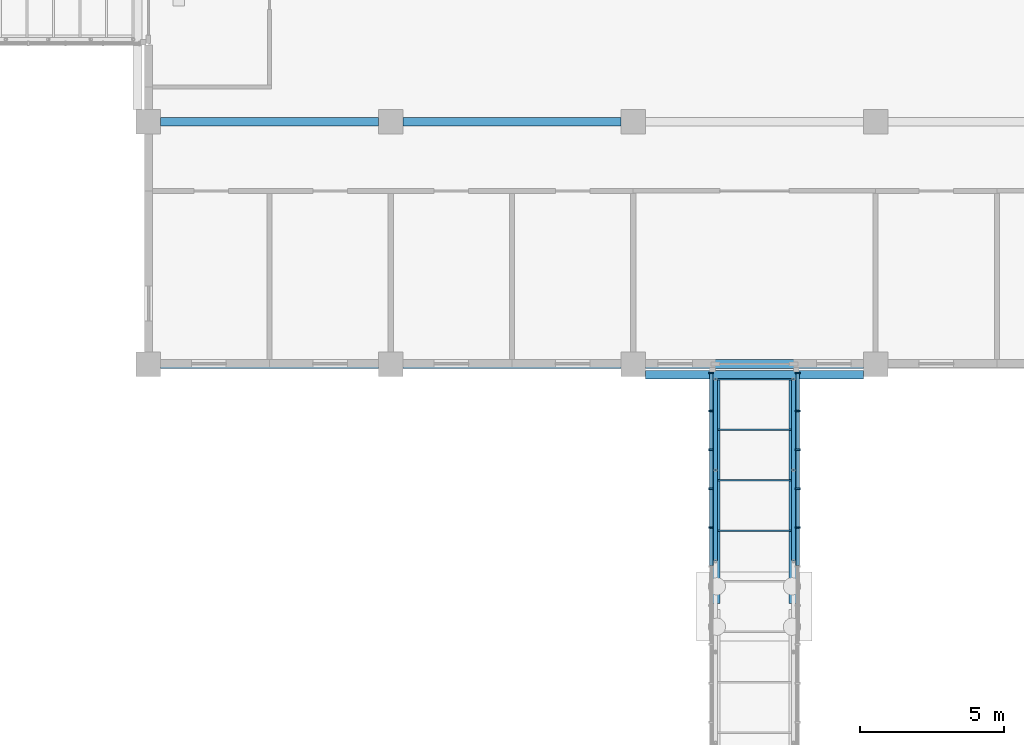
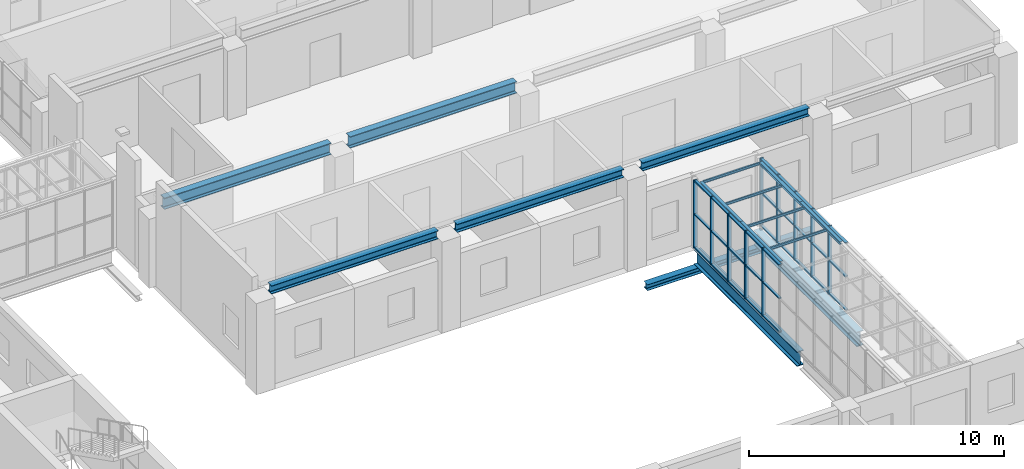
# One storey, part 21 of 94: 40 members, 16 beams, 2 elements without a shape of their own.
"""IFC4 building model written with IfcOpenShell, lengths in metres."""

from ifc_helpers import new_model, si_unit, direction, frame, origin, origin_2d, place, context, subcontext, project, spatial, rectangle, i_section, extrude, material, material_profile, profile_set, type_object, element, aggregate, save


model = new_model("IFC4")

# Units and contexts
model_context = context("Model", 3, precision=1e-05, world=origin(), true_north=direction((0.0, 1.0)))
body_context = subcontext(model_context, "Body", "Model", "MODEL_VIEW")
ifc_project = project(units=[si_unit("LENGTHUNIT", "METRE"), si_unit("AREAUNIT", "SQUARE_METRE"), si_unit("VOLUMEUNIT", "CUBIC_METRE"), si_unit("PLANEANGLEUNIT", "RADIAN"), si_unit("MASSUNIT", "GRAM", prefix="KILO")], contexts=[model_context])

# Site, building, storey
site_placement = place(None, origin())
site = spatial("IfcSite", under=ifc_project, at=site_placement, CompositionType="ELEMENT")
building_placement = place(site_placement, origin())
building = spatial("IfcBuilding", under=site, at=building_placement, Name="Yavir Park General Hospital", CompositionType="ELEMENT")
storey_placement = place(building_placement, frame((0.0, 0.0, 4.5)))
storey = spatial("IfcBuildingStorey", under=building, at=storey_placement, Name="L01", CompositionType="ELEMENT", Elevation=4.5)

# Curtain wall, members
ifc_material_1 = material(Name="Aluminium curtain wall frame with insulated glazing", Category="aluminium")
curtain_wall_type = type_object("IfcCurtainWallType", Name="Bridge enclosure glazing, 3250 high, 1400 module", PredefinedType="NOTDEFINED", material=ifc_material_1)
curtain_wall_1_placement = place(storey_placement, origin())
curtain_wall_1 = element("IfcCurtainWall", 1, at=curtain_wall_1_placement, inside=storey, type_object=curtain_wall_type, Name="CW41 L01-024", PredefinedType="NOTDEFINED")
ifc_material_2 = material(Name="Aluminium", Category="aluminium")
ifc_material_profile_1 = material_profile(ifc_material_2, rectangle(XDim=0.159912109375, YDim=0.06005859375, at=origin_2d()), Name="AL 60x160")
ifc_profile_set_1 = profile_set([ifc_material_profile_1], Name="Aluminium")
member_type_1 = type_object("IfcMemberType", Name="Bridge enclosure glazing, 3250 high mullion 60 x 160", PredefinedType="MULLION", material=ifc_profile_set_1)
member_1_placement = place(storey_placement, frame((53.10009765625, 44.7333984375, 0.0), z_axis=(0.0, 0.0, 1.0), x_axis=(-1.0, 0.0, 0.0)))
member_1 = element("IfcMember", 2, at=member_1_placement, type_object=member_type_1, Name="CW41 mullion 9", PredefinedType="MULLION", context=body_context, shape_type="SweptSolid", body=[
    extrude(rectangle(XDim=0.159912109375, YDim=0.06005859375, at=origin_2d()), origin(), (0.0, 0.0, 1.0), 3.25),
])
member_2_placement = place(storey_placement, frame((53.10009765625, 46.081298828125, 0.0), z_axis=(0.0, 0.0, 1.0), x_axis=(-1.0, 0.0, 0.0)))
member_2 = element("IfcMember", 3, at=member_2_placement, type_object=member_type_1, Name="CW41 mullion 10", PredefinedType="MULLION", context=body_context, shape_type="SweptSolid", body=[
    extrude(rectangle(XDim=0.159912109375, YDim=0.06005859375, at=origin_2d()), origin(), (0.0, 0.0, 1.0), 3.25),
])
member_3_placement = place(storey_placement, frame((53.10009765625, 47.42919921875, 0.0), z_axis=(0.0, 0.0, 1.0), x_axis=(-1.0, 0.0, 0.0)))
member_3 = element("IfcMember", 4, at=member_3_placement, type_object=member_type_1, Name="CW41 mullion 11", PredefinedType="MULLION", context=body_context, shape_type="SweptSolid", body=[
    extrude(rectangle(XDim=0.159912109375, YDim=0.06005859375, at=origin_2d()), origin(), (0.0, 0.0, 1.0), 3.25),
])
member_4_placement = place(storey_placement, frame((53.10009765625, 48.777099609375, 0.0), z_axis=(0.0, 0.0, 1.0), x_axis=(-1.0, 0.0, 0.0)))
member_4 = element("IfcMember", 5, at=member_4_placement, type_object=member_type_1, Name="CW41 mullion 12", PredefinedType="MULLION", context=body_context, shape_type="SweptSolid", body=[
    extrude(rectangle(XDim=0.159912109375, YDim=0.06005859375, at=origin_2d()), origin(), (0.0, 0.0, 1.0), 3.25),
])
member_5_placement = place(storey_placement, frame((53.10009765625, 50.094970703125, 0.0), z_axis=(0.0, 0.0, 1.0), x_axis=(-1.0, 0.0, 0.0)))
member_5 = element("IfcMember", 6, at=member_5_placement, type_object=member_type_1, Name="CW41 mullion 13", PredefinedType="MULLION", context=body_context, shape_type="SweptSolid", body=[
    extrude(rectangle(XDim=0.159912109375, YDim=0.06005859375, at=origin_2d()), origin(), (0.0, 0.0, 1.0), 3.25),
])

curtain_wall_2_placement = place(storey_placement, origin())
curtain_wall_2 = element("IfcCurtainWall", 7, at=curtain_wall_2_placement, inside=storey, type_object=curtain_wall_type, Name="CW41 L01-025", PredefinedType="NOTDEFINED")
member_6_placement = place(storey_placement, frame((56.10009765625, 44.7333984375, 0.0), z_axis=(0.0, 0.0, 1.0), x_axis=(-1.0, 0.0, 0.0)))
member_6 = element("IfcMember", 8, at=member_6_placement, type_object=member_type_1, Name="CW41 mullion 9", PredefinedType="MULLION", context=body_context, shape_type="SweptSolid", body=[
    extrude(rectangle(XDim=0.159912109375, YDim=0.06005859375, at=origin_2d()), origin(), (0.0, 0.0, 1.0), 3.25),
])
member_7_placement = place(storey_placement, frame((56.10009765625, 46.081298828125, 0.0), z_axis=(0.0, 0.0, 1.0), x_axis=(-1.0, 0.0, 0.0)))
member_7 = element("IfcMember", 9, at=member_7_placement, type_object=member_type_1, Name="CW41 mullion 10", PredefinedType="MULLION", context=body_context, shape_type="SweptSolid", body=[
    extrude(rectangle(XDim=0.159912109375, YDim=0.06005859375, at=origin_2d()), origin(), (0.0, 0.0, 1.0), 3.25),
])
member_8_placement = place(storey_placement, frame((56.10009765625, 47.42919921875, 0.0), z_axis=(0.0, 0.0, 1.0), x_axis=(-1.0, 0.0, 0.0)))
member_8 = element("IfcMember", 10, at=member_8_placement, type_object=member_type_1, Name="CW41 mullion 11", PredefinedType="MULLION", context=body_context, shape_type="SweptSolid", body=[
    extrude(rectangle(XDim=0.159912109375, YDim=0.06005859375, at=origin_2d()), origin(), (0.0, 0.0, 1.0), 3.25),
])
member_9_placement = place(storey_placement, frame((56.10009765625, 48.777099609375, 0.0), z_axis=(0.0, 0.0, 1.0), x_axis=(-1.0, 0.0, 0.0)))
member_9 = element("IfcMember", 11, at=member_9_placement, type_object=member_type_1, Name="CW41 mullion 12", PredefinedType="MULLION", context=body_context, shape_type="SweptSolid", body=[
    extrude(rectangle(XDim=0.159912109375, YDim=0.06005859375, at=origin_2d()), origin(), (0.0, 0.0, 1.0), 3.25),
])
member_10_placement = place(storey_placement, frame((56.10009765625, 50.094970703125, 0.0), z_axis=(0.0, 0.0, 1.0), x_axis=(-1.0, 0.0, 0.0)))
member_10 = element("IfcMember", 12, at=member_10_placement, type_object=member_type_1, Name="CW41 mullion 13", PredefinedType="MULLION", context=body_context, shape_type="SweptSolid", body=[
    extrude(rectangle(XDim=0.159912109375, YDim=0.06005859375, at=origin_2d()), origin(), (0.0, 0.0, 1.0), 3.25),
])

# Member
ifc_material_3 = material(Name="Aluminium", Category="aluminium")
ifc_material_profile_2 = material_profile(ifc_material_3, rectangle(XDim=0.1201171875, YDim=0.06005859375, at=origin_2d()), Name="AL 120x60")
ifc_profile_set_2 = profile_set([ifc_material_profile_2], Name="Aluminium")
member_type_2 = type_object("IfcMemberType", Name="Bridge enclosure glazing, 3250 high transom 60 x 120", PredefinedType="MULLION", material=ifc_profile_set_2)
member_11_placement = place(storey_placement, frame((53.10009765625, 43.41552734375, 0.030029296875), z_axis=(0.0, 1.0, 0.0), x_axis=(-1.0, 0.0, 0.0)))
member_11 = element("IfcMember", 13, at=member_11_placement, type_object=member_type_2, Name="CW41 transom 8.1", PredefinedType="MULLION", context=body_context, shape_type="SweptSolid", body=[
    extrude(rectangle(XDim=0.1201171875, YDim=0.06005859375, at=origin_2d()), origin(), (0.0, 0.0, 1.0), 1.287841796875),
])

member_12_placement = place(storey_placement, frame((53.10009765625, 43.41552734375, 1.625), z_axis=(0.0, 1.0, 0.0), x_axis=(-1.0, 0.0, 0.0)))
member_12 = element("IfcMember", 14, at=member_12_placement, type_object=member_type_2, Name="CW41 transom 8.2", PredefinedType="MULLION", context=body_context, shape_type="SweptSolid", body=[
    extrude(rectangle(XDim=0.1201171875, YDim=0.06005859375, at=origin_2d()), origin(), (0.0, 0.0, 1.0), 1.287841796875),
])

member_13_placement = place(storey_placement, frame((53.10009765625, 43.41552734375, 3.219970703125), z_axis=(0.0, 1.0, 0.0), x_axis=(-1.0, 0.0, 0.0)))
member_13 = element("IfcMember", 15, at=member_13_placement, type_object=member_type_2, Name="CW41 transom 8.3", PredefinedType="MULLION", context=body_context, shape_type="SweptSolid", body=[
    extrude(rectangle(XDim=0.1201171875, YDim=0.06005859375, at=origin_2d()), origin(), (0.0, 0.0, 1.0), 1.287841796875),
])

member_14_placement = place(storey_placement, frame((53.10009765625, 44.763427734375, 0.030029296875), z_axis=(0.0, 1.0, 0.0), x_axis=(-1.0, 0.0, 0.0)))
member_14 = element("IfcMember", 16, at=member_14_placement, type_object=member_type_2, Name="CW41 transom 9.1", PredefinedType="MULLION", context=body_context, shape_type="SweptSolid", body=[
    extrude(rectangle(XDim=0.1201171875, YDim=0.06005859375, at=origin_2d()), origin(), (0.0, 0.0, 1.0), 1.287841796875),
])

member_15_placement = place(storey_placement, frame((53.10009765625, 44.763427734375, 1.625), z_axis=(0.0, 1.0, 0.0), x_axis=(-1.0, 0.0, 0.0)))
member_15 = element("IfcMember", 17, at=member_15_placement, type_object=member_type_2, Name="CW41 transom 9.2", PredefinedType="MULLION", context=body_context, shape_type="SweptSolid", body=[
    extrude(rectangle(XDim=0.1201171875, YDim=0.06005859375, at=origin_2d()), origin(), (0.0, 0.0, 1.0), 1.287841796875),
])

member_16_placement = place(storey_placement, frame((53.10009765625, 44.763427734375, 3.219970703125), z_axis=(0.0, 1.0, 0.0), x_axis=(-1.0, 0.0, 0.0)))
member_16 = element("IfcMember", 18, at=member_16_placement, type_object=member_type_2, Name="CW41 transom 9.3", PredefinedType="MULLION", context=body_context, shape_type="SweptSolid", body=[
    extrude(rectangle(XDim=0.1201171875, YDim=0.06005859375, at=origin_2d()), origin(), (0.0, 0.0, 1.0), 1.287841796875),
])

member_17_placement = place(storey_placement, frame((53.10009765625, 46.111328125, 0.030029296875), z_axis=(0.0, 1.0, 0.0), x_axis=(-1.0, 0.0, 0.0)))
member_17 = element("IfcMember", 19, at=member_17_placement, type_object=member_type_2, Name="CW41 transom 10.1", PredefinedType="MULLION", context=body_context, shape_type="SweptSolid", body=[
    extrude(rectangle(XDim=0.1201171875, YDim=0.06005859375, at=origin_2d()), origin(), (0.0, 0.0, 1.0), 1.287841796875),
])

member_18_placement = place(storey_placement, frame((53.10009765625, 46.111328125, 1.625), z_axis=(0.0, 1.0, 0.0), x_axis=(-1.0, 0.0, 0.0)))
member_18 = element("IfcMember", 20, at=member_18_placement, type_object=member_type_2, Name="CW41 transom 10.2", PredefinedType="MULLION", context=body_context, shape_type="SweptSolid", body=[
    extrude(rectangle(XDim=0.1201171875, YDim=0.06005859375, at=origin_2d()), origin(), (0.0, 0.0, 1.0), 1.287841796875),
])

member_19_placement = place(storey_placement, frame((53.10009765625, 46.111328125, 3.219970703125), z_axis=(0.0, 1.0, 0.0), x_axis=(-1.0, 0.0, 0.0)))
member_19 = element("IfcMember", 21, at=member_19_placement, type_object=member_type_2, Name="CW41 transom 10.3", PredefinedType="MULLION", context=body_context, shape_type="SweptSolid", body=[
    extrude(rectangle(XDim=0.1201171875, YDim=0.06005859375, at=origin_2d()), origin(), (0.0, 0.0, 1.0), 1.287841796875),
])

member_20_placement = place(storey_placement, frame((53.10009765625, 47.459228515625, 0.030029296875), z_axis=(0.0, 1.0, 0.0), x_axis=(-1.0, 0.0, 0.0)))
member_20 = element("IfcMember", 22, at=member_20_placement, type_object=member_type_2, Name="CW41 transom 11.1", PredefinedType="MULLION", context=body_context, shape_type="SweptSolid", body=[
    extrude(rectangle(XDim=0.1201171875, YDim=0.06005859375, at=origin_2d()), origin(), (0.0, 0.0, 1.0), 1.287841796875),
])

member_21_placement = place(storey_placement, frame((53.10009765625, 47.459228515625, 1.625), z_axis=(0.0, 1.0, 0.0), x_axis=(-1.0, 0.0, 0.0)))
member_21 = element("IfcMember", 23, at=member_21_placement, type_object=member_type_2, Name="CW41 transom 11.2", PredefinedType="MULLION", context=body_context, shape_type="SweptSolid", body=[
    extrude(rectangle(XDim=0.1201171875, YDim=0.06005859375, at=origin_2d()), origin(), (0.0, 0.0, 1.0), 1.287841796875),
])

member_22_placement = place(storey_placement, frame((53.10009765625, 47.459228515625, 3.219970703125), z_axis=(0.0, 1.0, 0.0), x_axis=(-1.0, 0.0, 0.0)))
member_22 = element("IfcMember", 24, at=member_22_placement, type_object=member_type_2, Name="CW41 transom 11.3", PredefinedType="MULLION", context=body_context, shape_type="SweptSolid", body=[
    extrude(rectangle(XDim=0.1201171875, YDim=0.06005859375, at=origin_2d()), origin(), (0.0, 0.0, 1.0), 1.287841796875),
])

member_23_placement = place(storey_placement, frame((53.10009765625, 48.80712890625, 0.030029296875), z_axis=(0.0, 1.0, 0.0), x_axis=(-1.0, 0.0, 0.0)))
member_23 = element("IfcMember", 25, at=member_23_placement, type_object=member_type_2, Name="CW41 transom 12.1", PredefinedType="MULLION", context=body_context, shape_type="SweptSolid", body=[
    extrude(rectangle(XDim=0.1201171875, YDim=0.06005859375, at=origin_2d()), origin(), (0.0, 0.0, 1.0), 1.2578125),
])

member_24_placement = place(storey_placement, frame((53.10009765625, 48.80712890625, 1.625), z_axis=(0.0, 1.0, 0.0), x_axis=(-1.0, 0.0, 0.0)))
member_24 = element("IfcMember", 26, at=member_24_placement, type_object=member_type_2, Name="CW41 transom 12.2", PredefinedType="MULLION", context=body_context, shape_type="SweptSolid", body=[
    extrude(rectangle(XDim=0.1201171875, YDim=0.06005859375, at=origin_2d()), origin(), (0.0, 0.0, 1.0), 1.2578125),
])

member_25_placement = place(storey_placement, frame((53.10009765625, 48.80712890625, 3.219970703125), z_axis=(0.0, 1.0, 0.0), x_axis=(-1.0, 0.0, 0.0)))
member_25 = element("IfcMember", 27, at=member_25_placement, type_object=member_type_2, Name="CW41 transom 12.3", PredefinedType="MULLION", context=body_context, shape_type="SweptSolid", body=[
    extrude(rectangle(XDim=0.1201171875, YDim=0.06005859375, at=origin_2d()), origin(), (0.0, 0.0, 1.0), 1.2578125),
])

aggregate(curtain_wall_1, [member_1, member_2, member_3, member_4, member_5, member_11, member_12, member_13, member_14, member_15, member_16, member_17, member_18, member_19, member_20, member_21, member_22, member_23, member_24, member_25])

member_26_placement = place(storey_placement, frame((56.10009765625, 43.41552734375, 0.030029296875), z_axis=(0.0, 1.0, 0.0), x_axis=(-1.0, 0.0, 0.0)))
member_26 = element("IfcMember", 28, at=member_26_placement, type_object=member_type_2, Name="CW41 transom 8.1", PredefinedType="MULLION", context=body_context, shape_type="SweptSolid", body=[
    extrude(rectangle(XDim=0.1201171875, YDim=0.06005859375, at=origin_2d()), origin(), (0.0, 0.0, 1.0), 1.287841796875),
])

member_27_placement = place(storey_placement, frame((56.10009765625, 43.41552734375, 1.625), z_axis=(0.0, 1.0, 0.0), x_axis=(-1.0, 0.0, 0.0)))
member_27 = element("IfcMember", 29, at=member_27_placement, type_object=member_type_2, Name="CW41 transom 8.2", PredefinedType="MULLION", context=body_context, shape_type="SweptSolid", body=[
    extrude(rectangle(XDim=0.1201171875, YDim=0.06005859375, at=origin_2d()), origin(), (0.0, 0.0, 1.0), 1.287841796875),
])

member_28_placement = place(storey_placement, frame((56.10009765625, 43.41552734375, 3.219970703125), z_axis=(0.0, 1.0, 0.0), x_axis=(-1.0, 0.0, 0.0)))
member_28 = element("IfcMember", 30, at=member_28_placement, type_object=member_type_2, Name="CW41 transom 8.3", PredefinedType="MULLION", context=body_context, shape_type="SweptSolid", body=[
    extrude(rectangle(XDim=0.1201171875, YDim=0.06005859375, at=origin_2d()), origin(), (0.0, 0.0, 1.0), 1.287841796875),
])

member_29_placement = place(storey_placement, frame((56.10009765625, 44.763427734375, 0.030029296875), z_axis=(0.0, 1.0, 0.0), x_axis=(-1.0, 0.0, 0.0)))
member_29 = element("IfcMember", 31, at=member_29_placement, type_object=member_type_2, Name="CW41 transom 9.1", PredefinedType="MULLION", context=body_context, shape_type="SweptSolid", body=[
    extrude(rectangle(XDim=0.1201171875, YDim=0.06005859375, at=origin_2d()), origin(), (0.0, 0.0, 1.0), 1.287841796875),
])

member_30_placement = place(storey_placement, frame((56.10009765625, 44.763427734375, 1.625), z_axis=(0.0, 1.0, 0.0), x_axis=(-1.0, 0.0, 0.0)))
member_30 = element("IfcMember", 32, at=member_30_placement, type_object=member_type_2, Name="CW41 transom 9.2", PredefinedType="MULLION", context=body_context, shape_type="SweptSolid", body=[
    extrude(rectangle(XDim=0.1201171875, YDim=0.06005859375, at=origin_2d()), origin(), (0.0, 0.0, 1.0), 1.287841796875),
])

member_31_placement = place(storey_placement, frame((56.10009765625, 44.763427734375, 3.219970703125), z_axis=(0.0, 1.0, 0.0), x_axis=(-1.0, 0.0, 0.0)))
member_31 = element("IfcMember", 33, at=member_31_placement, type_object=member_type_2, Name="CW41 transom 9.3", PredefinedType="MULLION", context=body_context, shape_type="SweptSolid", body=[
    extrude(rectangle(XDim=0.1201171875, YDim=0.06005859375, at=origin_2d()), origin(), (0.0, 0.0, 1.0), 1.287841796875),
])

member_32_placement = place(storey_placement, frame((56.10009765625, 46.111328125, 0.030029296875), z_axis=(0.0, 1.0, 0.0), x_axis=(-1.0, 0.0, 0.0)))
member_32 = element("IfcMember", 34, at=member_32_placement, type_object=member_type_2, Name="CW41 transom 10.1", PredefinedType="MULLION", context=body_context, shape_type="SweptSolid", body=[
    extrude(rectangle(XDim=0.1201171875, YDim=0.06005859375, at=origin_2d()), origin(), (0.0, 0.0, 1.0), 1.287841796875),
])

member_33_placement = place(storey_placement, frame((56.10009765625, 46.111328125, 1.625), z_axis=(0.0, 1.0, 0.0), x_axis=(-1.0, 0.0, 0.0)))
member_33 = element("IfcMember", 35, at=member_33_placement, type_object=member_type_2, Name="CW41 transom 10.2", PredefinedType="MULLION", context=body_context, shape_type="SweptSolid", body=[
    extrude(rectangle(XDim=0.1201171875, YDim=0.06005859375, at=origin_2d()), origin(), (0.0, 0.0, 1.0), 1.287841796875),
])

member_34_placement = place(storey_placement, frame((56.10009765625, 46.111328125, 3.219970703125), z_axis=(0.0, 1.0, 0.0), x_axis=(-1.0, 0.0, 0.0)))
member_34 = element("IfcMember", 36, at=member_34_placement, type_object=member_type_2, Name="CW41 transom 10.3", PredefinedType="MULLION", context=body_context, shape_type="SweptSolid", body=[
    extrude(rectangle(XDim=0.1201171875, YDim=0.06005859375, at=origin_2d()), origin(), (0.0, 0.0, 1.0), 1.287841796875),
])

member_35_placement = place(storey_placement, frame((56.10009765625, 47.459228515625, 0.030029296875), z_axis=(0.0, 1.0, 0.0), x_axis=(-1.0, 0.0, 0.0)))
member_35 = element("IfcMember", 37, at=member_35_placement, type_object=member_type_2, Name="CW41 transom 11.1", PredefinedType="MULLION", context=body_context, shape_type="SweptSolid", body=[
    extrude(rectangle(XDim=0.1201171875, YDim=0.06005859375, at=origin_2d()), origin(), (0.0, 0.0, 1.0), 1.287841796875),
])

member_36_placement = place(storey_placement, frame((56.10009765625, 47.459228515625, 1.625), z_axis=(0.0, 1.0, 0.0), x_axis=(-1.0, 0.0, 0.0)))
member_36 = element("IfcMember", 38, at=member_36_placement, type_object=member_type_2, Name="CW41 transom 11.2", PredefinedType="MULLION", context=body_context, shape_type="SweptSolid", body=[
    extrude(rectangle(XDim=0.1201171875, YDim=0.06005859375, at=origin_2d()), origin(), (0.0, 0.0, 1.0), 1.287841796875),
])

member_37_placement = place(storey_placement, frame((56.10009765625, 47.459228515625, 3.219970703125), z_axis=(0.0, 1.0, 0.0), x_axis=(-1.0, 0.0, 0.0)))
member_37 = element("IfcMember", 39, at=member_37_placement, type_object=member_type_2, Name="CW41 transom 11.3", PredefinedType="MULLION", context=body_context, shape_type="SweptSolid", body=[
    extrude(rectangle(XDim=0.1201171875, YDim=0.06005859375, at=origin_2d()), origin(), (0.0, 0.0, 1.0), 1.287841796875),
])

member_38_placement = place(storey_placement, frame((56.10009765625, 48.80712890625, 0.030029296875), z_axis=(0.0, 1.0, 0.0), x_axis=(-1.0, 0.0, 0.0)))
member_38 = element("IfcMember", 40, at=member_38_placement, type_object=member_type_2, Name="CW41 transom 12.1", PredefinedType="MULLION", context=body_context, shape_type="SweptSolid", body=[
    extrude(rectangle(XDim=0.1201171875, YDim=0.06005859375, at=origin_2d()), origin(), (0.0, 0.0, 1.0), 1.2578125),
])

member_39_placement = place(storey_placement, frame((56.10009765625, 48.80712890625, 1.625), z_axis=(0.0, 1.0, 0.0), x_axis=(-1.0, 0.0, 0.0)))
member_39 = element("IfcMember", 41, at=member_39_placement, type_object=member_type_2, Name="CW41 transom 12.2", PredefinedType="MULLION", context=body_context, shape_type="SweptSolid", body=[
    extrude(rectangle(XDim=0.1201171875, YDim=0.06005859375, at=origin_2d()), origin(), (0.0, 0.0, 1.0), 1.2578125),
])

member_40_placement = place(storey_placement, frame((56.10009765625, 48.80712890625, 3.219970703125), z_axis=(0.0, 1.0, 0.0), x_axis=(-1.0, 0.0, 0.0)))
member_40 = element("IfcMember", 42, at=member_40_placement, type_object=member_type_2, Name="CW41 transom 12.3", PredefinedType="MULLION", context=body_context, shape_type="SweptSolid", body=[
    extrude(rectangle(XDim=0.1201171875, YDim=0.06005859375, at=origin_2d()), origin(), (0.0, 0.0, 1.0), 1.2578125),
])

aggregate(curtain_wall_2, [member_6, member_7, member_8, member_9, member_10, member_26, member_27, member_28, member_29, member_30, member_31, member_32, member_33, member_34, member_35, member_36, member_37, member_38, member_39, member_40])

# Beams
ifc_material_4 = material(Name="Steel S355", Category="steel")
ifc_material_profile_3 = material_profile(ifc_material_4, i_section(OverallWidth=0.139892578125, OverallDepth=0.133056640625, WebThickness=0.005615234375, FlangeThickness=0.008544921875, FilletRadius=0.011962890625, at=origin_2d()), Name="HEA140")
ifc_profile_set_3 = profile_set([ifc_material_profile_3], Name="Steel S355")
beam_type_1 = type_object("IfcBeamType", Name="HEA 140 roof edge beam", PredefinedType="BEAM", material=ifc_profile_set_3)
beam_1_placement = place(storey_placement, frame((53.25, 43.574951171875, 3.18359375), z_axis=(0.0, 1.0, 0.0), x_axis=(-1.0, 0.0, 0.0)))
element("IfcBeam", 43, at=beam_1_placement, inside=storey, type_object=beam_type_1, Name="RF:BRS:frame:E:03", PredefinedType="BEAM", context=body_context, shape_type="SweptSolid", body=[
    extrude(i_section(OverallWidth=0.139892578125, OverallDepth=0.133056640625, WebThickness=0.005615234375, FlangeThickness=0.008544921875, FilletRadius=0.011962890625, at=origin_2d()), origin(), (0.0, 0.0, 1.0), 3.150146484375),
])
beam_2_placement = place(storey_placement, frame((53.25, 46.72509765625, 3.18359375), z_axis=(0.0, 1.0, 0.0), x_axis=(-1.0, 0.0, 0.0)))
element("IfcBeam", 44, at=beam_2_placement, inside=storey, type_object=beam_type_1, Name="RF:BRS:frame:E:04", PredefinedType="BEAM", context=body_context, shape_type="SweptSolid", body=[
    extrude(i_section(OverallWidth=0.139892578125, OverallDepth=0.133056640625, WebThickness=0.005615234375, FlangeThickness=0.008544921875, FilletRadius=0.011962890625, at=origin_2d()), origin(), (0.0, 0.0, 1.0), 3.14990234375),
])
beam_3_placement = place(storey_placement, frame((55.949951171875, 43.574951171875, 3.18359375), z_axis=(0.0, 1.0, 0.0), x_axis=(-1.0, 0.0, 0.0)))
element("IfcBeam", 45, at=beam_3_placement, inside=storey, type_object=beam_type_1, Name="RF:BRS:frame:E:13", PredefinedType="BEAM", context=body_context, shape_type="SweptSolid", body=[
    extrude(i_section(OverallWidth=0.139892578125, OverallDepth=0.133056640625, WebThickness=0.005615234375, FlangeThickness=0.008544921875, FilletRadius=0.011962890625, at=origin_2d()), origin(), (0.0, 0.0, 1.0), 3.150146484375),
])
beam_4_placement = place(storey_placement, frame((55.949951171875, 46.72509765625, 3.18359375), z_axis=(0.0, 1.0, 0.0), x_axis=(-1.0, 0.0, 0.0)))
element("IfcBeam", 46, at=beam_4_placement, inside=storey, type_object=beam_type_1, Name="RF:BRS:frame:E:14", PredefinedType="BEAM", context=body_context, shape_type="SweptSolid", body=[
    extrude(i_section(OverallWidth=0.139892578125, OverallDepth=0.133056640625, WebThickness=0.005615234375, FlangeThickness=0.008544921875, FilletRadius=0.011962890625, at=origin_2d()), origin(), (0.0, 0.0, 1.0), 3.14990234375),
])
ifc_material_5 = material(Name="Steel S355", Category="steel")
ifc_material_profile_4 = material_profile(ifc_material_5, i_section(OverallWidth=0.300048828125, OverallDepth=0.2900390625, WebThickness=0.008544921875, FlangeThickness=0.013916015625, FilletRadius=0.027099609375, at=origin_2d()), Name="HEA300")
ifc_profile_set_4 = profile_set([ifc_material_profile_4], Name="Steel S355")
beam_type_2 = type_object("IfcBeamType", Name="HEA 300 bridge head beam", PredefinedType="BEAM", material=ifc_profile_set_4)
beam_5_placement = place(storey_placement, frame((50.824951171875, 50.02490234375, -0.9951171875), z_axis=(1.0, 0.0, 0.0), x_axis=(0.0, 1.0, 0.0)))
element("IfcBeam", 47, at=beam_5_placement, inside=storey, type_object=beam_type_2, Name="B:BR_S:H1", PredefinedType="BEAM", context=body_context, shape_type="SweptSolid", body=[
    extrude(i_section(OverallWidth=0.300048828125, OverallDepth=0.2900390625, WebThickness=0.008544921875, FlangeThickness=0.013916015625, FilletRadius=0.027099609375, at=origin_2d()), origin(), (0.0, 0.0, 1.0), 7.550048828125),
])
ifc_material_6 = material(Name="Steel S355", Category="steel")
ifc_material_profile_5 = material_profile(ifc_material_6, i_section(OverallWidth=0.300048828125, OverallDepth=0.389892578125, WebThickness=0.010986328125, FlangeThickness=0.01904296875, FilletRadius=0.027099609375, at=origin_2d()), Name="HEA400")
ifc_profile_set_5 = profile_set([ifc_material_profile_5], Name="Steel S355")
beam_type_3 = type_object("IfcBeamType", Name="HEA 400 edge beam", PredefinedType="BEAM", material=ifc_profile_set_5)
for number, where, z_axis, x_axis, name in (
    (48, (34.02490234375, 50.39990234375, 4.552978515625), (1.0, 0.0, 0.0), (0.0, 1.0, 0.0), "B:CLIN:V0:0"),
    (49, (42.425048828125, 50.39990234375, 4.552978515625), (1.0, 0.0, 0.0), (0.0, 1.0, 0.0), "B:CLIN:V0:1"),
    (50, (50.824951171875, 50.39990234375, 4.552978515625), (1.0, 0.0, 0.0), (0.0, 1.0, 0.0), "B:CLIN:V0:2"),
):
    element("IfcBeam", number, at=place(storey_placement, frame(where, z_axis=z_axis, x_axis=x_axis)), inside=storey, type_object=beam_type_3, Name=name, PredefinedType="BEAM", context=body_context, shape_type="SweptSolid", body=[
        extrude(i_section(OverallWidth=0.300048828125, OverallDepth=0.389892578125, WebThickness=0.010986328125, FlangeThickness=0.01904296875, FilletRadius=0.027099609375, at=origin_2d()), origin(), (0.0, 0.0, 1.0), 7.550048828125),
    ])
ifc_material_7 = material(Name="Steel S355", Category="steel")
ifc_material_profile_6 = material_profile(ifc_material_7, i_section(OverallWidth=0.300048828125, OverallDepth=0.550048828125, WebThickness=0.014892578125, FlangeThickness=0.029052734375, FilletRadius=0.027099609375, at=origin_2d()), Name="HEB550")
ifc_profile_set_6 = profile_set([ifc_material_profile_6], Name="Steel S355")
beam_type_4 = type_object("IfcBeamType", Name="HEB 550 valley beam", PredefinedType="BEAM", material=ifc_profile_set_6)
for number, where, z_axis, x_axis, name in (
    (51, (34.02490234375, 58.800048828125, 3.572998046875), (1.0, 0.0, 0.0), (0.0, 1.0, 0.0), "B:CLIN:V1:0"),
    (52, (42.425048828125, 58.800048828125, 3.572998046875), (1.0, 0.0, 0.0), (0.0, 1.0, 0.0), "B:CLIN:V1:1"),
):
    element("IfcBeam", number, at=place(storey_placement, frame(where, z_axis=z_axis, x_axis=x_axis)), inside=storey, type_object=beam_type_4, Name=name, PredefinedType="BEAM", context=body_context, shape_type="SweptSolid", body=[
        extrude(i_section(OverallWidth=0.300048828125, OverallDepth=0.550048828125, WebThickness=0.014892578125, FlangeThickness=0.029052734375, FilletRadius=0.027099609375, at=origin_2d()), origin(), (0.0, 0.0, 1.0), 7.550048828125),
    ])
ifc_material_8 = material(Name="Steel S355", Category="steel")
ifc_material_profile_7 = material_profile(ifc_material_8, i_section(OverallWidth=0.300048828125, OverallDepth=0.699951171875, WebThickness=0.01708984375, FlangeThickness=0.031982421875, FilletRadius=0.027099609375, at=origin_2d()), Name="HEB700")
ifc_profile_set_7 = profile_set([ifc_material_profile_7], Name="Steel S355")
beam_type_5 = type_object("IfcBeamType", Name="HEB 700 bridge girder", PredefinedType="BEAM", material=ifc_profile_set_7)
for number, where, z_axis, x_axis, name in (
    (53, (53.25, 42.10009765625, -0.5), (0.0, 1.0, 0.0), (-1.0, 0.0, 0.0), "B:BR_S:G0:1"),
    (54, (55.949951171875, 42.10009765625, -0.5), (0.0, 1.0, 0.0), (-1.0, 0.0, 0.0), "B:BR_S:G1:1"),
):
    element("IfcBeam", number, at=place(storey_placement, frame(where, z_axis=z_axis, x_axis=x_axis)), inside=storey, type_object=beam_type_5, Name=name, PredefinedType="BEAM", context=body_context, shape_type="SweptSolid", body=[
        extrude(i_section(OverallWidth=0.300048828125, OverallDepth=0.699951171875, WebThickness=0.01708984375, FlangeThickness=0.031982421875, FilletRadius=0.027099609375, at=origin_2d()), origin(), (0.0, 0.0, 1.0), 8.074951171875),
    ])
ifc_material_9 = material(Name="Steel S355", Category="steel")
ifc_material_profile_8 = material_profile(ifc_material_9, i_section(OverallWidth=0.06396484375, OverallDepth=0.1201171875, WebThickness=0.00439453125, FlangeThickness=0.00634765625, FilletRadius=0.007080078125, at=origin_2d()), Name="IPE120")
ifc_profile_set_8 = profile_set([ifc_material_profile_8], Name="Steel S355")
beam_type_6 = type_object("IfcBeamType", Name="IPE 120 roof cross beam", PredefinedType="JOIST", material=ifc_profile_set_8)
for number, where, z_axis, x_axis, name in (
    (55, (53.320068359375, 44.625, 3.18994140625), (1.0, 0.0, 0.0), (0.0, 1.0, 0.0), "RF:BRS:frame:C:6"),
    (56, (53.320068359375, 46.375, 3.18994140625), (1.0, 0.0, 0.0), (0.0, 1.0, 0.0), "RF:BRS:frame:C:7"),
    (57, (53.320068359375, 48.125, 3.18994140625), (1.0, 0.0, 0.0), (0.0, 1.0, 0.0), "RF:BRS:frame:C:8"),
    (58, (53.320068359375, 49.875, 3.18994140625), (1.0, 0.0, 0.0), (0.0, 1.0, 0.0), "RF:BRS:frame:C:9"),
):
    element("IfcBeam", number, at=place(storey_placement, frame(where, z_axis=z_axis, x_axis=x_axis)), inside=storey, type_object=beam_type_6, Name=name, PredefinedType="JOIST", context=body_context, shape_type="SweptSolid", body=[
        extrude(i_section(OverallWidth=0.06396484375, OverallDepth=0.1201171875, WebThickness=0.00439453125, FlangeThickness=0.00634765625, FilletRadius=0.007080078125, at=origin_2d()), origin(), (0.0, 0.0, 1.0), 2.559814453125),
    ])

save(model, "model.ifc")
